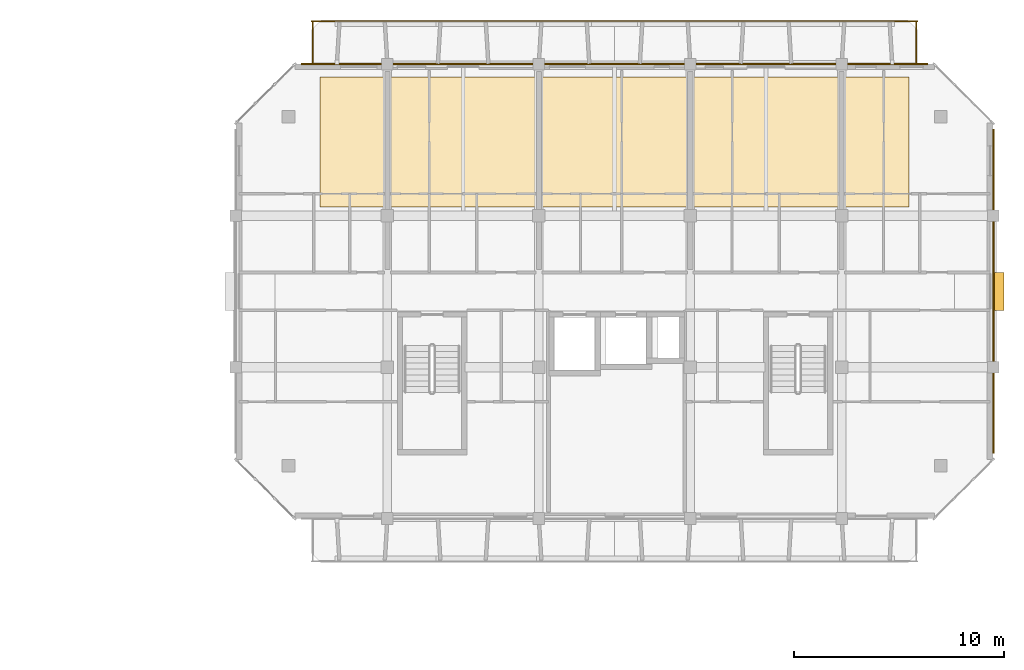
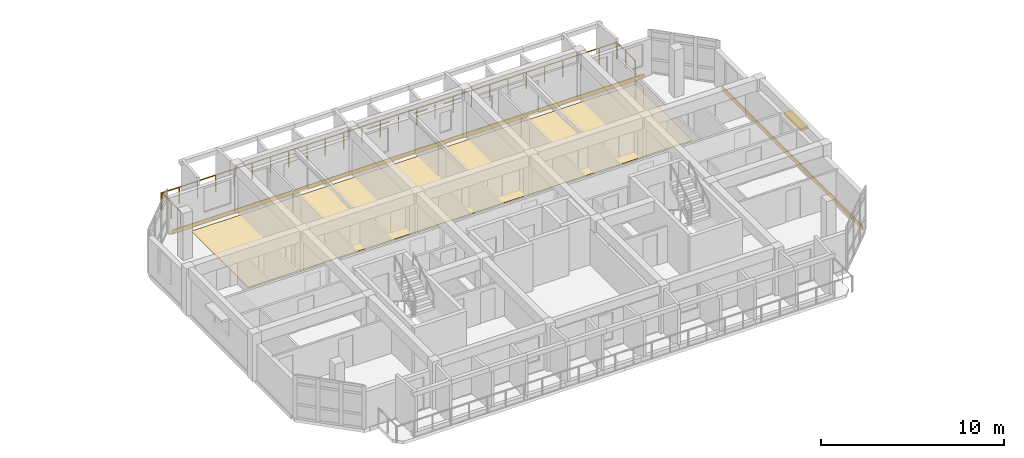
# One storey, part 43 of 43: 3 coverings, 3 railings, 1 shading device.
"""IFC4 building model written with IfcOpenShell, lengths in metres."""

import ifcopenshell
import ifcopenshell.guid

model = None  # the IFC model being written
_history = None  # IfcOwnerHistory: only IFC2X3 demands one
_inside = {}  # id of a spatial element -> (the spatial element, [elements in it])
_under = {}  # id of a project, library or spatial element -> (it, [spatial elements below it])
_declared = {}  # id of a project -> (the project, [libraries it declares])
_typed = {}  # id of a type object -> (the type object, [elements of that type])
_made_of = {}  # id of a material, layer set ... -> (it, [elements and type objects made of it])


def new_model(schema):
    """Start an empty IFC model of exactly this schema.

    Asked for "IFC4X3", IfcOpenShell would pick the latest addendum, in which some entities
    have other attributes; the version numbers below select the first issue.
    IFC2X3 requires an IfcOwnerHistory on every rooted entity: one is made here for all.
    """
    global model, _history
    if schema == "IFC4X3":
        model = ifcopenshell.file(schema_version=(4, 3, 0, 0))
    else:
        model = ifcopenshell.file(schema=schema)
    _inside.clear()
    _under.clear()
    _declared.clear()
    _typed.clear()
    _made_of.clear()
    _history = None
    if model.schema == "IFC2X3":
        org = make("IfcOrganization", Name="unknown")
        user = make(
            "IfcPersonAndOrganization",
            ThePerson=make("IfcPerson", FamilyName="unknown"),
            TheOrganization=org,
        )
        app = make(
            "IfcApplication",
            ApplicationDeveloper=org,
            Version="unknown",
            ApplicationFullName="unknown",
            ApplicationIdentifier="unknown",
        )
        _history = make(
            "IfcOwnerHistory",
            OwningUser=user,
            OwningApplication=app,
            ChangeAction="ADDED",
            CreationDate=0,
        )
    return model


def make(cls, **values):
    """One entity of the class cls with the attributes given. An attribute that is None is left unset."""
    return model.create_entity(
        cls, **{name: value for name, value in values.items() if value is not None}
    )


def rooted(cls, **values):
    """An entity with a GlobalId (a new one), such as an element, a storey or a relation."""
    return make(cls, GlobalId=ifcopenshell.guid.new(), OwnerHistory=_history, **values)


def si_unit(unit_type, name, prefix=None):
    """IfcSIUnit, for example si_unit("LENGTHUNIT", "METRE", prefix="MILLI")."""
    return make("IfcSIUnit", UnitType=unit_type, Prefix=prefix, Name=name)


def assignment(units):
    """IfcUnitAssignment: the units of a project."""
    return None if units is None else make("IfcUnitAssignment", Units=units)


def point(xyz):
    """IfcCartesianPoint."""
    return None if xyz is None else make("IfcCartesianPoint", Coordinates=xyz)


def direction(xyz):
    """IfcDirection."""
    return None if xyz is None else make("IfcDirection", DirectionRatios=xyz)


def frame(location, z_axis=None, x_axis=None):
    """IfcAxis2Placement3D, a coordinate frame: its origin and axes. An axis left out is left unset."""
    return make(
        "IfcAxis2Placement3D",
        Location=point(location),
        Axis=direction(z_axis),
        RefDirection=direction(x_axis),
    )


def frame_2d(location, x_axis=None):
    """IfcAxis2Placement2D, a coordinate frame in the plane: its origin and x axis."""
    return make(
        "IfcAxis2Placement2D", Location=point(location), RefDirection=direction(x_axis)
    )


def origin():
    """The frame at (0, 0, 0) with its axes left unset."""
    return frame((0.0, 0.0, 0.0))


def origin_2d():
    """The frame at (0, 0) in the plane with its x axis left unset."""
    return frame_2d((0.0, 0.0))


def place(relative_to, where):
    """IfcLocalPlacement: puts the frame where relative to a parent placement (None: the world)."""
    return make(
        "IfcLocalPlacement", PlacementRelTo=relative_to, RelativePlacement=where
    )


def context(
    kind, dimensions, precision=None, world=None, true_north=None, identifier=None
):
    """IfcGeometricRepresentationContext, for example the 3D "Model" context."""
    return make(
        "IfcGeometricRepresentationContext",
        ContextIdentifier=identifier,
        ContextType=kind,
        CoordinateSpaceDimension=dimensions,
        Precision=precision,
        WorldCoordinateSystem=world,
        TrueNorth=true_north,
    )


def subcontext(parent, identifier, kind, view, scale=None):
    """IfcGeometricRepresentationSubContext, for example "Body" below "Model"."""
    return make(
        "IfcGeometricRepresentationSubContext",
        ContextIdentifier=identifier,
        ContextType=kind,
        ParentContext=parent,
        TargetScale=scale,
        TargetView=view,
    )


def project(units=None, contexts=None):
    """IfcProject with its units and contexts."""
    return rooted(
        "IfcProject",
        Name="project",
        RepresentationContexts=contexts,
        UnitsInContext=assignment(units),
    )


def spatial(cls, under=None, at=None, **own):
    """A site, building, storey or space (cls), placed at a placement, below another one or the project."""
    s = rooted(cls, ObjectPlacement=at, **own)
    if under is not None:
        _under.setdefault(under.id(), (under, []))[1].append(s)
    return s


def polyline(points):
    """IfcPolyline through the points."""
    return make("IfcPolyline", Points=[point(p) for p in points])


def profile(cls, at=None, kind="AREA", **sizes):
    """A parametric profile (cls). Its sizes go by their IFC names, for example OverallWidth=200.0."""
    return make(cls, ProfileType=kind, Position=at, **sizes)


def rectangle(**sizes):
    """IfcRectangleProfileDef."""
    return profile("IfcRectangleProfileDef", **sizes)


def circle(**sizes):
    """IfcCircleProfileDef."""
    return profile("IfcCircleProfileDef", **sizes)


def outline(outer, holes=None, kind="AREA"):
    """IfcArbitraryClosedProfileDef: a profile drawn as a closed curve; with holes, ...WithVoids."""
    if holes is None:
        return make("IfcArbitraryClosedProfileDef", ProfileType=kind, OuterCurve=outer)
    return make(
        "IfcArbitraryProfileDefWithVoids",
        ProfileType=kind,
        OuterCurve=outer,
        InnerCurves=holes,
    )


def extrude(swept, where, along, depth):
    """IfcExtrudedAreaSolid: the profile swept, set in the frame where, extruded along a direction by depth."""
    return make(
        "IfcExtrudedAreaSolid",
        SweptArea=swept,
        Position=where,
        ExtrudedDirection=direction(along),
        Depth=depth,
    )


def shape(context_of_items, identifier, shape_type, items):
    """IfcShapeRepresentation: the items that make up one representation, for example the "Body"."""
    return make(
        "IfcShapeRepresentation",
        ContextOfItems=context_of_items,
        RepresentationIdentifier=identifier,
        RepresentationType=shape_type,
        Items=items,
    )


def material(Name=None, Category=None):
    """IfcMaterial."""
    return make("IfcMaterial", Name=Name, Category=Category)


def layer(
    of_material, thickness, ventilated=None, Name=None, Category=None, Priority=None
):
    """IfcMaterialLayer: one layer of a wall or slab, of a material (None: an air gap)."""
    return make(
        "IfcMaterialLayer",
        Material=of_material,
        LayerThickness=thickness,
        IsVentilated=ventilated,
        Name=Name,
        Category=Category,
        Priority=Priority,
    )


def layer_set(layers, Name=None):
    """IfcMaterialLayerSet."""
    return make("IfcMaterialLayerSet", MaterialLayers=layers, LayerSetName=Name)


def made_of(thing, what):
    """Note that an element or type object is made of a material, layer set ...; save() writes the relation."""
    if what is not None:
        _made_of.setdefault(what.id(), (what, []))[1].append(thing)
    return thing


def type_object(cls, material=None, **own):
    """A type object (cls), such as IfcWallType, which elements share."""
    return made_of(rooted(cls, **own), material)


def element(
    cls,
    number,
    at=None,
    inside=None,
    cuts=None,
    type_object=None,
    material=None,
    context=None,
    identifier="Body",
    shape_type=None,
    held_by="IfcProductDefinitionShape",
    body=None,
    shapes=None,
    **own,
):
    """One element of the class cls, such as IfcWall. Its Tag is "e" and its number.

    at: its placement. inside: the storey or other place that contains it. cuts: it is an
    opening in that element (IfcRelVoidsElement). A single representation is given by context,
    identifier, shape_type and body (its items); several are given by shapes. held_by: the class
    of the entity that holds the representations. save() writes the other relations.
    """
    e = rooted(cls, Tag="e%d" % number, ObjectPlacement=at, **own)
    if body is not None:
        shapes = [shape(context, identifier, shape_type, body)]
    if shapes is not None:
        e.Representation = make(held_by, Representations=shapes)
    if inside is not None:
        _inside.setdefault(inside.id(), (inside, []))[1].append(e)
    if cuts is not None:
        rooted(
            "IfcRelVoidsElement", RelatingBuildingElement=cuts, RelatedOpeningElement=e
        )
    if type_object is not None:
        _typed.setdefault(type_object.id(), (type_object, []))[1].append(e)
    return made_of(e, material)


def aggregate(whole, parts):
    """IfcRelAggregates: a whole, such as a stair, and the parts it consists of."""
    return rooted("IfcRelAggregates", RelatingObject=whole, RelatedObjects=parts)


def save(model, path):
    """Write the relations noted so far, then the file.

    IfcRelAggregates (storeys below a building ...), IfcRelContainedInSpatialStructure (elements
    in a storey), IfcRelDefinesByType, IfcRelAssociatesMaterial and IfcRelDeclares: one each for
    every whole, place, type object, material and project.
    """
    for whole, parts in _under.values():
        aggregate(whole, parts)
    for where, things in _inside.values():
        rooted(
            "IfcRelContainedInSpatialStructure",
            RelatedElements=things,
            RelatingStructure=where,
        )
    for kind, things in _typed.values():
        rooted("IfcRelDefinesByType", RelatedObjects=things, RelatingType=kind)
    for what, things in _made_of.values():
        rooted("IfcRelAssociatesMaterial", RelatedObjects=things, RelatingMaterial=what)
    for by, libraries in _declared.values():
        rooted("IfcRelDeclares", RelatingContext=by, RelatedDefinitions=libraries)
    model.write(path)


model = new_model("IFC4")

# Units and contexts
model_context = context("Model", 3, precision=1e-05, world=origin(), true_north=direction((0.0, 1.0)))
body_context = subcontext(model_context, "Body", "Model", "MODEL_VIEW")
ifc_project = project(units=[si_unit("LENGTHUNIT", "METRE"), si_unit("AREAUNIT", "SQUARE_METRE"), si_unit("VOLUMEUNIT", "CUBIC_METRE"), si_unit("PLANEANGLEUNIT", "RADIAN"), si_unit("MASSUNIT", "GRAM", prefix="KILO")], contexts=[model_context])

# Site, building, storey
site_placement = place(None, origin())
site = spatial("IfcSite", under=ifc_project, at=site_placement, CompositionType="ELEMENT")
building_placement = place(site_placement, origin())
building = spatial("IfcBuilding", under=site, at=building_placement, Name="Ochrevale Crest", CompositionType="ELEMENT")
storey_placement = place(building_placement, frame((0.0, 0.0, 15.0)))
storey = spatial("IfcBuildingStorey", under=building, at=storey_placement, Name="L04", CompositionType="ELEMENT", Elevation=15.0)

# Coverings
ifc_material_1 = material(Name="Glazed terracotta rainscreen tile", Category="masonry")
ifc_layer_1 = layer(ifc_material_1, 0.048095703125)
ifc_layer_set_1 = layer_set([ifc_layer_1], Name="Glazed terracotta rainscreen tile")
covering_type_1 = type_object("IfcCoveringType", Name="COV-CLAD-TER", PredefinedType="CLADDING", material=ifc_layer_set_1)
covering_1_placement = place(storey_placement, frame((165.614501953125, 82.800048828125, -0.26025390625), z_axis=(0.0, 0.0, 1.0), x_axis=(0.0, 1.0, 0.0)))
element("IfcCovering", 1, at=covering_1_placement, inside=storey, type_object=covering_type_1, Name="Block D L04 terracotta slab-edge spandrel cladding", PredefinedType="CLADDING", context=body_context, shape_type="SweptSolid", body=[
    extrude(rectangle(XDim=15.39990234375, YDim=0.06005859375, at=origin_2d()), origin(), (0.0, 0.0, 1.0), 0.280029296875),
])
covering_2_placement = place(storey_placement, frame((147.60009765625, 93.612548828125, -0.26025390625), z_axis=(0.0, 0.0, 1.0), x_axis=(-1.0, 0.0, 0.0)))
element("IfcCovering", 2, at=covering_2_placement, inside=storey, type_object=covering_type_1, Name="Block D L04 terracotta slab-edge spandrel cladding", PredefinedType="CLADDING", context=body_context, shape_type="SweptSolid", body=[
    extrude(rectangle(XDim=29.800048828125, YDim=0.06005859375, at=origin_2d()), origin(), (0.0, 0.0, 1.0), 0.280029296875),
])
ifc_material_2 = material(Name="Engineered spotted-gum hardwood flooring", Category="wood")
ifc_layer_2 = layer(ifc_material_2, 0.02001953125)
ifc_layer_set_2 = layer_set([ifc_layer_2], Name="Engineered spotted-gum hardwood flooring")
covering_type_2 = type_object("IfcCoveringType", Name="COV-FLR-TIM", PredefinedType="FLOORING", material=ifc_layer_set_2)
covering_3_placement = place(storey_placement, origin())
element("IfcCovering", 3, at=covering_3_placement, inside=storey, type_object=covering_type_2, Name="Block D L04 spotted-gum apartment flooring", PredefinedType="FLOORING", context=body_context, shape_type="SweptSolid", body=[
    extrude(outline(polyline([(133.60009765625, 86.800048828125), (161.60009765625, 86.800048828125), (161.60009765625, 93.0), (133.60009765625, 93.0), (133.60009765625, 86.800048828125)])), origin(), (0.0, 0.0, 1.0), 0.02001953125),
])

# Railings
ifc_material_3 = material(Name="Galvanised steel", Category="steel")
railing_type = type_object("IfcRailingType", Name="RL-BAL-1100", PredefinedType="BALUSTRADE", material=ifc_material_3)
railing_placement = place(storey_placement, frame((133.199951171875, 95.639892578125, 0.0)))
element("IfcRailing", 4, at=railing_placement, inside=storey, type_object=railing_type, Name="Block D L04 N balcony front balustrade", PredefinedType="BALUSTRADE", context=body_context, shape_type="SweptSolid", body=[
    extrude(circle(Radius=0.02392578125, at=origin_2d()), frame((0.0, 0.0, 1.0859375), z_axis=(1.0, 0.0, 0.0), x_axis=(0.0, 1.0, 0.0)), (0.0, 0.0, 1.0), 28.800048828125),
    extrude(circle(Radius=0.02099609375, at=origin_2d()), origin(), (0.0, 0.0, 1.0), 1.06201171875),
    extrude(circle(Radius=0.02099609375, at=origin_2d()), frame((1.152099609375, 0.0, 0.0)), (0.0, 0.0, 1.0), 1.06201171875),
    extrude(circle(Radius=0.02099609375, at=origin_2d()), frame((2.303955078125, 0.0, 0.0)), (0.0, 0.0, 1.0), 1.06201171875),
    extrude(circle(Radius=0.02099609375, at=origin_2d()), frame((3.4560546875, 0.0, 0.0)), (0.0, 0.0, 1.0), 1.06201171875),
    extrude(circle(Radius=0.02099609375, at=origin_2d()), frame((4.60791015625, 0.0, 0.0)), (0.0, 0.0, 1.0), 1.06201171875),
    extrude(circle(Radius=0.02099609375, at=origin_2d()), frame((5.760009765625, 0.0, 0.0)), (0.0, 0.0, 1.0), 1.06201171875),
    extrude(circle(Radius=0.02099609375, at=origin_2d()), frame((6.912109375, 0.0, 0.0)), (0.0, 0.0, 1.0), 1.06201171875),
    extrude(circle(Radius=0.02099609375, at=origin_2d()), frame((8.06396484375, 0.0, 0.0)), (0.0, 0.0, 1.0), 1.06201171875),
    extrude(circle(Radius=0.02099609375, at=origin_2d()), frame((9.216064453125, 0.0, 0.0)), (0.0, 0.0, 1.0), 1.06201171875),
    extrude(circle(Radius=0.02099609375, at=origin_2d()), frame((10.367919921875, 0.0, 0.0)), (0.0, 0.0, 1.0), 1.06201171875),
    extrude(circle(Radius=0.02099609375, at=origin_2d()), frame((11.52001953125, 0.0, 0.0)), (0.0, 0.0, 1.0), 1.06201171875),
    extrude(circle(Radius=0.02099609375, at=origin_2d()), frame((12.672119140625, 0.0, 0.0)), (0.0, 0.0, 1.0), 1.06201171875),
    extrude(circle(Radius=0.02099609375, at=origin_2d()), frame((13.823974609375, 0.0, 0.0)), (0.0, 0.0, 1.0), 1.06201171875),
    extrude(circle(Radius=0.02099609375, at=origin_2d()), frame((14.97607421875, 0.0, 0.0)), (0.0, 0.0, 1.0), 1.06201171875),
    extrude(circle(Radius=0.02099609375, at=origin_2d()), frame((16.1279296875, 0.0, 0.0)), (0.0, 0.0, 1.0), 1.06201171875),
    extrude(circle(Radius=0.02099609375, at=origin_2d()), frame((17.280029296875, 0.0, 0.0)), (0.0, 0.0, 1.0), 1.06201171875),
    extrude(circle(Radius=0.02099609375, at=origin_2d()), frame((18.43212890625, 0.0, 0.0)), (0.0, 0.0, 1.0), 1.06201171875),
    extrude(circle(Radius=0.02099609375, at=origin_2d()), frame((19.583984375, 0.0, 0.0)), (0.0, 0.0, 1.0), 1.06201171875),
    extrude(circle(Radius=0.02099609375, at=origin_2d()), frame((20.736083984375, 0.0, 0.0)), (0.0, 0.0, 1.0), 1.06201171875),
    extrude(circle(Radius=0.02099609375, at=origin_2d()), frame((21.887939453125, 0.0, 0.0)), (0.0, 0.0, 1.0), 1.06201171875),
    extrude(circle(Radius=0.02099609375, at=origin_2d()), frame((23.0400390625, 0.0, 0.0)), (0.0, 0.0, 1.0), 1.06201171875),
    extrude(circle(Radius=0.02099609375, at=origin_2d()), frame((24.192138671875, 0.0, 0.0)), (0.0, 0.0, 1.0), 1.06201171875),
    extrude(circle(Radius=0.02099609375, at=origin_2d()), frame((25.343994140625, 0.0, 0.0)), (0.0, 0.0, 1.0), 1.06201171875),
    extrude(circle(Radius=0.02099609375, at=origin_2d()), frame((26.49609375, 0.0, 0.0)), (0.0, 0.0, 1.0), 1.06201171875),
    extrude(circle(Radius=0.02099609375, at=origin_2d()), frame((27.64794921875, 0.0, 0.0)), (0.0, 0.0, 1.0), 1.06201171875),
    extrude(circle(Radius=0.02099609375, at=origin_2d()), frame((28.800048828125, 0.0, 0.0)), (0.0, 0.0, 1.0), 1.06201171875),
])
for number, where, name in (
    (5, (133.260009765625, 93.60009765625, 0.0), "Block D L04 N-W balcony side guard"),
    (6, (161.93994140625, 93.60009765625, 0.0), "Block D L04 N-E balcony side guard"),
):
    element("IfcRailing", number, at=place(storey_placement, frame(where)), inside=storey, type_object=railing_type, Name=name, PredefinedType="BALUSTRADE", context=body_context, shape_type="SweptSolid", body=[
        extrude(circle(Radius=0.02392578125, at=origin_2d()), frame((0.0, 0.0, 1.0859375), z_axis=(0.0, 1.0, 0.0), x_axis=(-1.0, 0.0, 0.0)), (0.0, 0.0, 1.0), 2.039794921875),
        extrude(circle(Radius=0.02099609375, at=origin_2d()), origin(), (0.0, 0.0, 1.0), 1.06201171875),
        extrude(circle(Radius=0.02099609375, at=origin_2d()), frame((0.0, 1.02001953125, 0.0)), (0.0, 0.0, 1.0), 1.06201171875),
        extrude(circle(Radius=0.02099609375, at=origin_2d()), frame((0.0, 2.039794921875, 0.0)), (0.0, 0.0, 1.0), 1.06201171875),
    ])

# Shading device
ifc_material_4 = material(Name="Anodised aluminium 6063-T5", Category="aluminium")
shading_device_type = type_object("IfcShadingDeviceType", Name="SHD-SUNSHADE-OC", PredefinedType="USERDEFINED", material=ifc_material_4)
shading_device_placement = place(storey_placement, frame((165.840087890625, 82.800048828125, 2.2099609375), z_axis=(0.0, 0.0, 1.0), x_axis=(1.0, 0.0, 0.0)))
element("IfcShadingDevice", 7, at=shading_device_placement, inside=storey, type_object=shading_device_type, Name="Block D L04 gable window sunshade E", ObjectType="HORIZONTAL SUNSHADE", PredefinedType="USERDEFINED", context=body_context, shape_type="SweptSolid", body=[
    extrude(rectangle(XDim=0.550048828125, YDim=1.800048828125, at=origin_2d()), origin(), (0.0, 0.0, 1.0), 0.139892578125),
])

save(model, "model.ifc")
